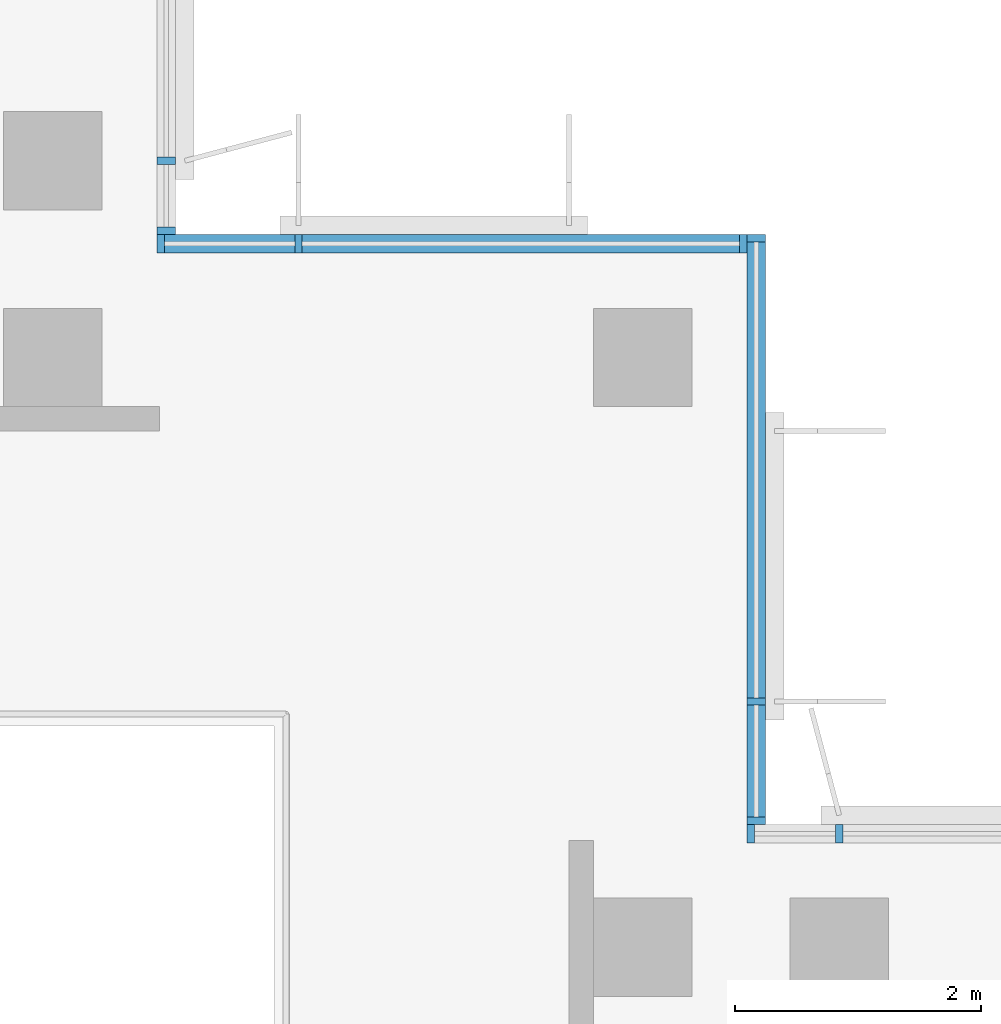
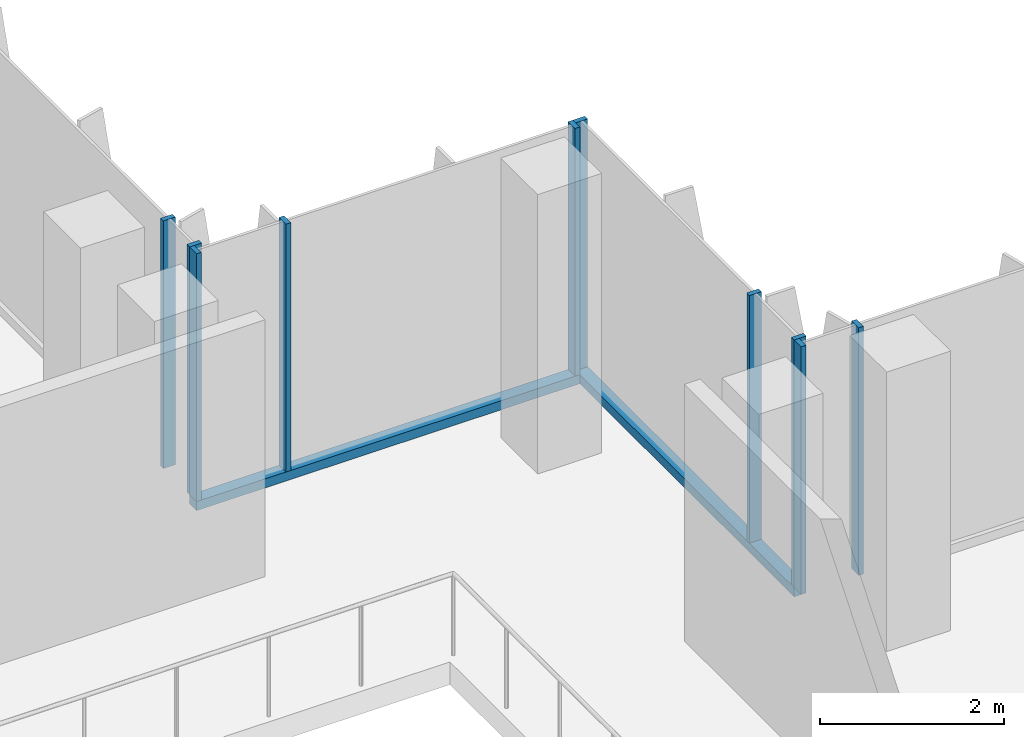
# One storey, part 2 of 16: 12 members, 4 elements without a shape of their own.
"""IFC4 building model written with IfcOpenShell, lengths in metres."""

from ifc_helpers import new_model, si_unit, direction, frame, origin, origin_2d, place, context, subcontext, project, spatial, rectangle, extrude, source, transform, mapped, material, material_profile, profile_set, type_object, element, aggregate, save


model = new_model("IFC4")

# Units and contexts
model_context = context("Model", 3, precision=1e-05, world=origin(), true_north=direction((0.0, 1.0)))
body_context = subcontext(model_context, "Body", "Model", "MODEL_VIEW")
ifc_project = project(units=[si_unit("LENGTHUNIT", "METRE"), si_unit("AREAUNIT", "SQUARE_METRE"), si_unit("VOLUMEUNIT", "CUBIC_METRE"), si_unit("PLANEANGLEUNIT", "RADIAN"), si_unit("MASSUNIT", "GRAM", prefix="KILO")], contexts=[model_context])

# Site, building, storey
site_placement = place(None, origin())
site = spatial("IfcSite", under=ifc_project, at=site_placement, CompositionType="ELEMENT")
building_placement = place(site_placement, origin())
building = spatial("IfcBuilding", under=site, at=building_placement, Name="Kemantara Hotel Tower", CompositionType="ELEMENT")
storey_placement = place(building_placement, frame((0.0, 0.0, 283.300048828125)))
storey = spatial("IfcBuildingStorey", under=building, at=storey_placement, Name="L71", CompositionType="ELEMENT", Elevation=283.300048828125)

# Curtain wall, member
ifc_material_1 = material(Name="Low-E tinted double insulated glass 36 mm", Category="glass")
curtain_wall_type = type_object("IfcCurtainWallType", Name="TOWER CURTAIN WALL, FRONT FACES", PredefinedType="USERDEFINED", material=ifc_material_1)
curtain_wall_1_placement = place(storey_placement, origin())
curtain_wall_1 = element("IfcCurtainWall", 1, at=curtain_wall_1_placement, inside=storey, type_object=curtain_wall_type, Name="CW4 L71 T4-R13-1", ObjectType="TOWER CURTAIN WALL, FRONT FACES", PredefinedType="USERDEFINED")
ifc_material_2 = material(Name="Aluminium 6063-T6 bronze anodised", Category="aluminium")
ifc_material_profile_1 = material_profile(ifc_material_2, rectangle(XDim=0.14990234375, YDim=0.1201171875, at=origin_2d()), Name="TOWER CURTAIN WALL, FRONT FACES TRANSOM")
ifc_profile_set_1 = profile_set([ifc_material_profile_1], Name="Aluminium 6063-T6 bronze anodised")
member_type_1 = type_object("IfcMemberType", Name="TOWER CURTAIN WALL, FRONT FACES TRANSOM", PredefinedType="USERDEFINED", material=ifc_profile_set_1)
member_1_placement = place(storey_placement, frame((26.72509765625, 22.0, 0.06005859375), z_axis=(0.0, 1.0, 0.0), x_axis=(-1.0, 0.0, 0.0)))
member_1 = element("IfcMember", 2, at=member_1_placement, type_object=member_type_1, Name="CW4 sill transom T4-R13-1", ObjectType="TRANSOM", PredefinedType="USERDEFINED", context=body_context, shape_type="SweptSolid", body=[
    extrude(rectangle(XDim=0.14990234375, YDim=0.1201171875, at=origin_2d()), origin(), (0.0, 0.0, 1.0), 4.800048828125),
])

curtain_wall_2_placement = place(storey_placement, origin())
curtain_wall_2 = element("IfcCurtainWall", 3, at=curtain_wall_2_placement, inside=storey, type_object=curtain_wall_type, Name="CW4 L71 T4-R14-1", ObjectType="TOWER CURTAIN WALL, FRONT FACES", PredefinedType="USERDEFINED")
member_2_placement = place(storey_placement, frame((26.64990234375, 26.72509765625, 0.06005859375), z_axis=(-1.0, 0.0, 0.0), x_axis=(0.0, -1.0, 0.0)))
member_2 = element("IfcMember", 4, at=member_2_placement, type_object=member_type_1, Name="CW4 sill transom T4-R14-1", ObjectType="TRANSOM", PredefinedType="USERDEFINED", context=body_context, shape_type="SweptSolid", body=[
    extrude(rectangle(XDim=0.14990234375, YDim=0.1201171875, at=origin_2d()), origin(), (0.0, 0.0, 1.0), 4.7998046875),
])

# Curtain wall, members
curtain_wall_3_placement = place(storey_placement, origin())
curtain_wall_3 = element("IfcCurtainWall", 5, at=curtain_wall_3_placement, inside=storey, type_object=curtain_wall_type, Name="CW4 L71 T4-R12-1", ObjectType="TOWER CURTAIN WALL, FRONT FACES", PredefinedType="USERDEFINED")
ifc_material_profile_2 = material_profile(ifc_material_2, rectangle(XDim=0.14990234375, YDim=0.06005859375, at=origin_2d()), Name="TOWER CURTAIN WALL, FRONT FACES MULLION")
ifc_profile_set_2 = profile_set([ifc_material_profile_2], Name="Aluminium 6063-T6 bronze anodised")
member_type_2 = type_object("IfcMemberType", Name="TOWER CURTAIN WALL, FRONT FACES MULLION", PredefinedType="MULLION", material=ifc_profile_set_2)
shared_shape = source(origin(), body_context, "Body", "SweptSolid", [
    extrude(rectangle(XDim=0.14990234375, YDim=0.06005859375, at=origin_2d()), origin(), (0.0, 0.0, 1.0), 3.280029296875),
])
member_3_placement = place(storey_placement, frame((27.39990234375, 21.925048828125, 0.119873046875), z_axis=(0.0, 0.0, 1.0), x_axis=(0.0, -1.0, 0.0)))
member_3 = element("IfcMember", 6, at=member_3_placement, type_object=member_type_2, Name="CW4 mullion T4-R12-1.5", PredefinedType="MULLION", context=body_context, shape_type="MappedRepresentation", body=[
    mapped(shared_shape, transform((0.0, 0.0, 0.0))),
])
member_4_placement = place(storey_placement, frame((26.679931640625, 21.925048828125, 0.119873046875), z_axis=(0.0, 0.0, 1.0), x_axis=(0.0, -1.0, 0.0)))
member_4 = element("IfcMember", 7, at=member_4_placement, type_object=member_type_2, Name="CW4 mullion T4-R12-1.6", PredefinedType="MULLION", context=body_context, shape_type="MappedRepresentation", body=[
    mapped(shared_shape, transform((0.0, 0.0, 0.0))),
])
aggregate(curtain_wall_3, [member_3, member_4])

# Member
member_5_placement = place(storey_placement, frame((26.72509765625, 22.030029296875, 0.119873046875), z_axis=(0.0, 0.0, 1.0), x_axis=(-1.0, 0.0, 0.0)))
member_5 = element("IfcMember", 8, at=member_5_placement, type_object=member_type_2, Name="CW4 mullion T4-R13-1.1", PredefinedType="MULLION", context=body_context, shape_type="MappedRepresentation", body=[
    mapped(shared_shape, transform((0.0, 0.0, 0.0))),
])

member_6_placement = place(storey_placement, frame((26.72509765625, 23.0, 0.119873046875), z_axis=(0.0, 0.0, 1.0), x_axis=(-1.0, 0.0, 0.0)))
member_6 = element("IfcMember", 9, at=member_6_placement, type_object=member_type_2, Name="CW4 mullion T4-R13-1.2", PredefinedType="MULLION", context=body_context, shape_type="MappedRepresentation", body=[
    mapped(shared_shape, transform((0.0, 0.0, 0.0))),
])

member_7_placement = place(storey_placement, frame((26.72509765625, 26.77001953125, 0.119873046875), z_axis=(0.0, 0.0, 1.0), x_axis=(-1.0, 0.0, 0.0)))
member_7 = element("IfcMember", 10, at=member_7_placement, type_object=member_type_2, Name="CW4 mullion T4-R13-1.3", PredefinedType="MULLION", context=body_context, shape_type="MappedRepresentation", body=[
    mapped(shared_shape, transform((0.0, 0.0, 0.0))),
])

aggregate(curtain_wall_1, [member_1, member_5, member_6, member_7])

member_8_placement = place(storey_placement, frame((26.6201171875, 26.72509765625, 0.119873046875), z_axis=(0.0, 0.0, 1.0), x_axis=(0.0, -1.0, 0.0)))
member_8 = element("IfcMember", 11, at=member_8_placement, type_object=member_type_2, Name="CW4 mullion T4-R14-1.1", PredefinedType="MULLION", context=body_context, shape_type="MappedRepresentation", body=[
    mapped(shared_shape, transform((0.0, 0.0, 0.0))),
])

member_9_placement = place(storey_placement, frame((23.0, 26.72509765625, 0.119873046875), z_axis=(0.0, 0.0, 1.0), x_axis=(0.0, -1.0, 0.0)))
member_9 = element("IfcMember", 12, at=member_9_placement, type_object=member_type_2, Name="CW4 mullion T4-R14-1.2", PredefinedType="MULLION", context=body_context, shape_type="MappedRepresentation", body=[
    mapped(shared_shape, transform((0.0, 0.0, 0.0))),
])

member_10_placement = place(storey_placement, frame((21.8798828125, 26.72509765625, 0.119873046875), z_axis=(0.0, 0.0, 1.0), x_axis=(0.0, -1.0, 0.0)))
member_10 = element("IfcMember", 13, at=member_10_placement, type_object=member_type_2, Name="CW4 mullion T4-R14-1.3", PredefinedType="MULLION", context=body_context, shape_type="MappedRepresentation", body=[
    mapped(shared_shape, transform((0.0, 0.0, 0.0))),
])

aggregate(curtain_wall_2, [member_2, member_8, member_9, member_10])

# Curtain wall, members
curtain_wall_4_placement = place(storey_placement, origin())
curtain_wall_4 = element("IfcCurtainWall", 14, at=curtain_wall_4_placement, inside=storey, type_object=curtain_wall_type, Name="CW4 L71 T4-R15-1", ObjectType="TOWER CURTAIN WALL, FRONT FACES", PredefinedType="USERDEFINED")
member_11_placement = place(storey_placement, frame((21.925048828125, 26.830078125, 0.119873046875), z_axis=(0.0, 0.0, 1.0), x_axis=(-1.0, 0.0, 0.0)))
member_11 = element("IfcMember", 15, at=member_11_placement, type_object=member_type_2, Name="CW4 mullion T4-R15-1.1", PredefinedType="MULLION", context=body_context, shape_type="MappedRepresentation", body=[
    mapped(shared_shape, transform((0.0, 0.0, 0.0))),
])
member_12_placement = place(storey_placement, frame((21.925048828125, 27.39990234375, 0.119873046875), z_axis=(0.0, 0.0, 1.0), x_axis=(-1.0, 0.0, 0.0)))
member_12 = element("IfcMember", 16, at=member_12_placement, type_object=member_type_2, Name="CW4 mullion T4-R15-1.2", PredefinedType="MULLION", context=body_context, shape_type="MappedRepresentation", body=[
    mapped(shared_shape, transform((0.0, 0.0, 0.0))),
])
aggregate(curtain_wall_4, [member_11, member_12])

save(model, "model.ifc")
